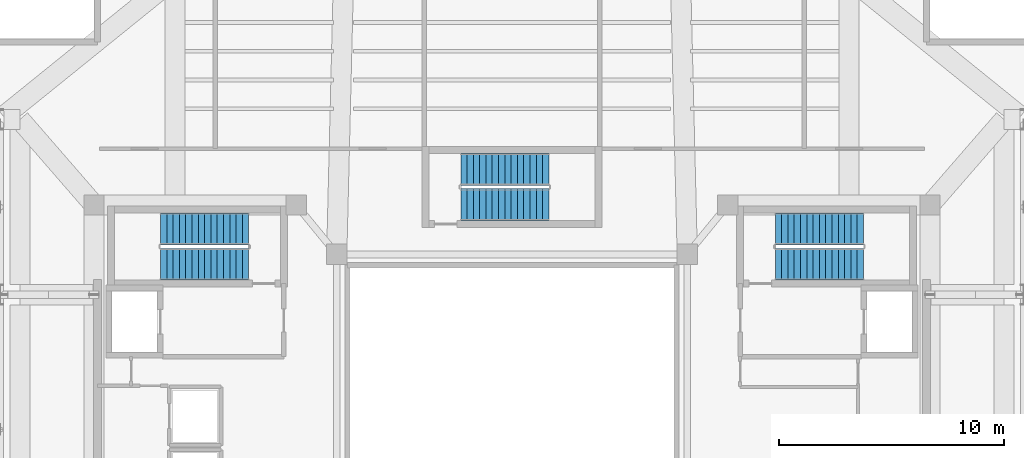
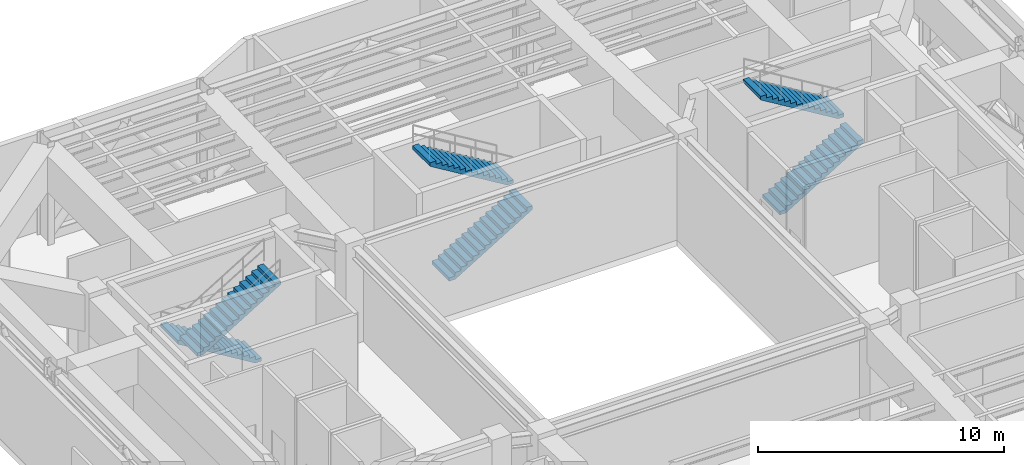
# One storey, part 10 of 13: 6 stair flights, 3 elements without a shape of their own.
"""IFC4 building model written with IfcOpenShell, lengths in metres."""

from ifc_helpers import new_model, si_unit, direction, frame, origin, place, context, subcontext, project, spatial, polyline, outline, extrude, material, type_object, element, aggregate, save


model = new_model("IFC4")

# Units and contexts
model_context = context("Model", 3, precision=1e-05, world=origin(), true_north=direction((0.0, 1.0)))
body_context = subcontext(model_context, "Body", "Model", "MODEL_VIEW")
ifc_project = project(units=[si_unit("LENGTHUNIT", "METRE"), si_unit("AREAUNIT", "SQUARE_METRE"), si_unit("VOLUMEUNIT", "CUBIC_METRE"), si_unit("PLANEANGLEUNIT", "RADIAN"), si_unit("MASSUNIT", "GRAM", prefix="KILO")], contexts=[model_context])

# Site, building, storey
site_placement = place(None, origin())
site = spatial("IfcSite", under=ifc_project, at=site_placement, CompositionType="ELEMENT")
building_placement = place(site_placement, origin())
building = spatial("IfcBuilding", under=site, at=building_placement, Name="Tarnavaz Court Tower", CompositionType="ELEMENT")
storey_placement = place(building_placement, frame((0.0, 0.0, 236.39990234375)))
storey = spatial("IfcBuildingStorey", under=building, at=storey_placement, Name="L64", CompositionType="ELEMENT", Elevation=236.39990234375)

# Stair, stair flights
ifc_material = material(Name="Concrete C40/50", Category="concrete")
stair_type = type_object("IfcStairType", Name="ST-TWR-30R", PredefinedType="HALF_TURN_STAIR", material=ifc_material)
stair_1_placement = place(storey_placement, origin())
stair_1 = element("IfcStair", 1, at=stair_1_placement, inside=storey, type_object=stair_type, Name="L64 West Core Pressurized Exit Stair ST-W1", PredefinedType="HALF_TURN_STAIR")
stair_flight_type = type_object("IfcStairFlightType", Name="SFL-RC-30R", PredefinedType="STRAIGHT", material=ifc_material)
stair_flight_1_placement = place(storey_placement, frame((-11.719970703125, 8.929931640625, 0.0), z_axis=(0.0, 0.0, 1.0), x_axis=(-1.0, 0.0, 0.0)))
stair_flight_1 = element("IfcStairFlight", 2, at=stair_flight_1_placement, type_object=stair_flight_type, Name="ST-W1 flight 1", NumberOfRisers=15, NumberOfTreads=14, PredefinedType="STRAIGHT", RiserHeight=0.17, TreadLength=0.28, context=body_context, shape_type="SweptSolid", body=[
    extrude(outline(polyline([(0.0, 0.0), (0.0, 0.169921875), (0.280029296875, 0.169921875), (0.280029296875, 0.340087890625), (0.56005859375, 0.340087890625), (0.56005859375, 0.510009765625), (0.840087890625, 0.510009765625), (0.840087890625, 0.679931640625), (1.1201171875, 0.679931640625), (1.1201171875, 0.85009765625), (1.39990234375, 0.85009765625), (1.39990234375, 1.02001953125), (1.679931640625, 1.02001953125), (1.679931640625, 1.18994140625), (1.9599609375, 1.18994140625), (1.9599609375, 1.360107421875), (2.239990234375, 1.360107421875), (2.239990234375, 1.530029296875), (2.52001953125, 1.530029296875), (2.52001953125, 1.699951171875), (2.800048828125, 1.699951171875), (2.800048828125, 1.8701171875), (3.080078125, 1.8701171875), (3.080078125, 2.0400390625), (3.360107421875, 2.0400390625), (3.360107421875, 2.2099609375), (3.639892578125, 2.2099609375), (3.639892578125, 2.3798828125), (3.919921875, 2.3798828125), (3.919921875, 2.550048828125), (3.919921875, 2.20458984375), (0.288818359375, 0.0), (0.0, 0.0)])), frame((0.0, 0.7099609375, 0.0), z_axis=(0.0, -1.0, 0.0), x_axis=(1.0, 0.0, 0.0)), (0.0, 0.0, 1.0), 1.419921875),
])
stair_flight_2_placement = place(storey_placement, frame((-15.639892578125, 7.360107421875, 2.550048828125), z_axis=(0.0, 0.0, 1.0), x_axis=(1.0, 0.0, 0.0)))
stair_flight_2 = element("IfcStairFlight", 3, at=stair_flight_2_placement, type_object=stair_flight_type, Name="ST-W1 flight 2", NumberOfRisers=15, NumberOfTreads=14, PredefinedType="STRAIGHT", RiserHeight=0.17, TreadLength=0.28, context=body_context, shape_type="SweptSolid", body=[
    extrude(outline(polyline([(0.0, 0.0), (0.0, 0.169921875), (0.280029296875, 0.169921875), (0.280029296875, 0.340087890625), (0.56005859375, 0.340087890625), (0.56005859375, 0.510009765625), (0.840087890625, 0.510009765625), (0.840087890625, 0.679931640625), (1.1201171875, 0.679931640625), (1.1201171875, 0.85009765625), (1.39990234375, 0.85009765625), (1.39990234375, 1.02001953125), (1.679931640625, 1.02001953125), (1.679931640625, 1.18994140625), (1.9599609375, 1.18994140625), (1.9599609375, 1.360107421875), (2.239990234375, 1.360107421875), (2.239990234375, 1.530029296875), (2.52001953125, 1.530029296875), (2.52001953125, 1.699951171875), (2.800048828125, 1.699951171875), (2.800048828125, 1.8701171875), (3.080078125, 1.8701171875), (3.080078125, 2.0400390625), (3.360107421875, 2.0400390625), (3.360107421875, 2.2099609375), (3.639892578125, 2.2099609375), (3.639892578125, 2.3798828125), (3.919921875, 2.3798828125), (3.919921875, 2.550048828125), (3.919921875, 2.20458984375), (0.288818359375, 0.0), (0.0, 0.0)])), frame((0.0, 0.7099609375, 0.0), z_axis=(0.0, -1.0, 0.0), x_axis=(1.0, 0.0, 0.0)), (0.0, 0.0, 1.0), 1.419921875),
])
aggregate(stair_1, [stair_flight_1, stair_flight_2])

stair_2_placement = place(storey_placement, origin())
stair_2 = element("IfcStair", 4, at=stair_2_placement, inside=storey, type_object=stair_type, Name="L64 East Core Pressurized Exit Stair ST-E1", PredefinedType="HALF_TURN_STAIR")
stair_flight_3_placement = place(storey_placement, frame((11.719970703125, 7.360107421875, 0.0), z_axis=(0.0, 0.0, 1.0), x_axis=(1.0, 0.0, 0.0)))
stair_flight_3 = element("IfcStairFlight", 5, at=stair_flight_3_placement, type_object=stair_flight_type, Name="ST-E1 flight 1", NumberOfRisers=15, NumberOfTreads=14, PredefinedType="STRAIGHT", RiserHeight=0.17, TreadLength=0.28, context=body_context, shape_type="SweptSolid", body=[
    extrude(outline(polyline([(0.0, 0.0), (0.0, 0.169921875), (0.280029296875, 0.169921875), (0.280029296875, 0.340087890625), (0.56005859375, 0.340087890625), (0.56005859375, 0.510009765625), (0.840087890625, 0.510009765625), (0.840087890625, 0.679931640625), (1.1201171875, 0.679931640625), (1.1201171875, 0.85009765625), (1.39990234375, 0.85009765625), (1.39990234375, 1.02001953125), (1.679931640625, 1.02001953125), (1.679931640625, 1.18994140625), (1.9599609375, 1.18994140625), (1.9599609375, 1.360107421875), (2.239990234375, 1.360107421875), (2.239990234375, 1.530029296875), (2.52001953125, 1.530029296875), (2.52001953125, 1.699951171875), (2.800048828125, 1.699951171875), (2.800048828125, 1.8701171875), (3.080078125, 1.8701171875), (3.080078125, 2.0400390625), (3.360107421875, 2.0400390625), (3.360107421875, 2.2099609375), (3.639892578125, 2.2099609375), (3.639892578125, 2.3798828125), (3.919921875, 2.3798828125), (3.919921875, 2.550048828125), (3.919921875, 2.20458984375), (0.288818359375, 0.0), (0.0, 0.0)])), frame((0.0, 0.7099609375, 0.0), z_axis=(0.0, -1.0, 0.0), x_axis=(1.0, 0.0, 0.0)), (0.0, 0.0, 1.0), 1.419921875),
])
stair_flight_4_placement = place(storey_placement, frame((15.639892578125, 8.929931640625, 2.550048828125), z_axis=(0.0, 0.0, 1.0), x_axis=(-1.0, 0.0, 0.0)))
stair_flight_4 = element("IfcStairFlight", 6, at=stair_flight_4_placement, type_object=stair_flight_type, Name="ST-E1 flight 2", NumberOfRisers=15, NumberOfTreads=14, PredefinedType="STRAIGHT", RiserHeight=0.17, TreadLength=0.28, context=body_context, shape_type="SweptSolid", body=[
    extrude(outline(polyline([(0.0, 0.0), (0.0, 0.169921875), (0.280029296875, 0.169921875), (0.280029296875, 0.340087890625), (0.56005859375, 0.340087890625), (0.56005859375, 0.510009765625), (0.840087890625, 0.510009765625), (0.840087890625, 0.679931640625), (1.1201171875, 0.679931640625), (1.1201171875, 0.85009765625), (1.39990234375, 0.85009765625), (1.39990234375, 1.02001953125), (1.679931640625, 1.02001953125), (1.679931640625, 1.18994140625), (1.9599609375, 1.18994140625), (1.9599609375, 1.360107421875), (2.239990234375, 1.360107421875), (2.239990234375, 1.530029296875), (2.52001953125, 1.530029296875), (2.52001953125, 1.699951171875), (2.800048828125, 1.699951171875), (2.800048828125, 1.8701171875), (3.080078125, 1.8701171875), (3.080078125, 2.0400390625), (3.360107421875, 2.0400390625), (3.360107421875, 2.2099609375), (3.639892578125, 2.2099609375), (3.639892578125, 2.3798828125), (3.919921875, 2.3798828125), (3.919921875, 2.550048828125), (3.919921875, 2.20458984375), (0.288818359375, 0.0), (0.0, 0.0)])), frame((0.0, 0.7099609375, 0.0), z_axis=(0.0, -1.0, 0.0), x_axis=(1.0, 0.0, 0.0)), (0.0, 0.0, 1.0), 1.419921875),
])
aggregate(stair_2, [stair_flight_3, stair_flight_4])

stair_3_placement = place(storey_placement, origin())
stair_3 = element("IfcStair", 7, at=stair_3_placement, inside=storey, type_object=stair_type, Name="L64 North Ring Pressurized Exit Stair ST-N1", PredefinedType="HALF_TURN_STAIR")
stair_flight_5_placement = place(storey_placement, frame((-2.280029296875, 10.010009765625, 0.0), z_axis=(0.0, 0.0, 1.0), x_axis=(1.0, 0.0, 0.0)))
stair_flight_5 = element("IfcStairFlight", 8, at=stair_flight_5_placement, type_object=stair_flight_type, Name="ST-N1 flight 1", NumberOfRisers=15, NumberOfTreads=14, PredefinedType="STRAIGHT", RiserHeight=0.17, TreadLength=0.28, context=body_context, shape_type="SweptSolid", body=[
    extrude(outline(polyline([(0.0, 0.0), (0.0, 0.169921875), (0.280029296875, 0.169921875), (0.280029296875, 0.340087890625), (0.56005859375, 0.340087890625), (0.56005859375, 0.510009765625), (0.840087890625, 0.510009765625), (0.840087890625, 0.679931640625), (1.1201171875, 0.679931640625), (1.1201171875, 0.85009765625), (1.39990234375, 0.85009765625), (1.39990234375, 1.02001953125), (1.679931640625, 1.02001953125), (1.679931640625, 1.18994140625), (1.9599609375, 1.18994140625), (1.9599609375, 1.360107421875), (2.239990234375, 1.360107421875), (2.239990234375, 1.530029296875), (2.52001953125, 1.530029296875), (2.52001953125, 1.699951171875), (2.800048828125, 1.699951171875), (2.800048828125, 1.8701171875), (3.080078125, 1.8701171875), (3.080078125, 2.0400390625), (3.360107421875, 2.0400390625), (3.360107421875, 2.2099609375), (3.639892578125, 2.2099609375), (3.639892578125, 2.3798828125), (3.919921875, 2.3798828125), (3.919921875, 2.550048828125), (3.919921875, 2.20458984375), (0.288818359375, 0.0), (0.0, 0.0)])), frame((0.0, 0.7099609375, 0.0), z_axis=(0.0, -1.0, 0.0), x_axis=(1.0, 0.0, 0.0)), (0.0, 0.0, 1.0), 1.419921875),
])
stair_flight_6_placement = place(storey_placement, frame((1.639892578125, 11.580078125, 2.550048828125), z_axis=(0.0, 0.0, 1.0), x_axis=(-1.0, 0.0, 0.0)))
stair_flight_6 = element("IfcStairFlight", 9, at=stair_flight_6_placement, type_object=stair_flight_type, Name="ST-N1 flight 2", NumberOfRisers=15, NumberOfTreads=14, PredefinedType="STRAIGHT", RiserHeight=0.17, TreadLength=0.28, context=body_context, shape_type="SweptSolid", body=[
    extrude(outline(polyline([(0.0, 0.0), (0.0, 0.169921875), (0.280029296875, 0.169921875), (0.280029296875, 0.340087890625), (0.56005859375, 0.340087890625), (0.56005859375, 0.510009765625), (0.840087890625, 0.510009765625), (0.840087890625, 0.679931640625), (1.1201171875, 0.679931640625), (1.1201171875, 0.85009765625), (1.39990234375, 0.85009765625), (1.39990234375, 1.02001953125), (1.679931640625, 1.02001953125), (1.679931640625, 1.18994140625), (1.9599609375, 1.18994140625), (1.9599609375, 1.360107421875), (2.239990234375, 1.360107421875), (2.239990234375, 1.530029296875), (2.52001953125, 1.530029296875), (2.52001953125, 1.699951171875), (2.800048828125, 1.699951171875), (2.800048828125, 1.8701171875), (3.080078125, 1.8701171875), (3.080078125, 2.0400390625), (3.360107421875, 2.0400390625), (3.360107421875, 2.2099609375), (3.639892578125, 2.2099609375), (3.639892578125, 2.3798828125), (3.919921875, 2.3798828125), (3.919921875, 2.550048828125), (3.919921875, 2.20458984375), (0.288818359375, 0.0), (0.0, 0.0)])), frame((0.0, 0.7099609375, 0.0), z_axis=(0.0, -1.0, 0.0), x_axis=(1.0, 0.0, 0.0)), (0.0, 0.0, 1.0), 1.419921875),
])
aggregate(stair_3, [stair_flight_5, stair_flight_6])

save(model, "model.ifc")
